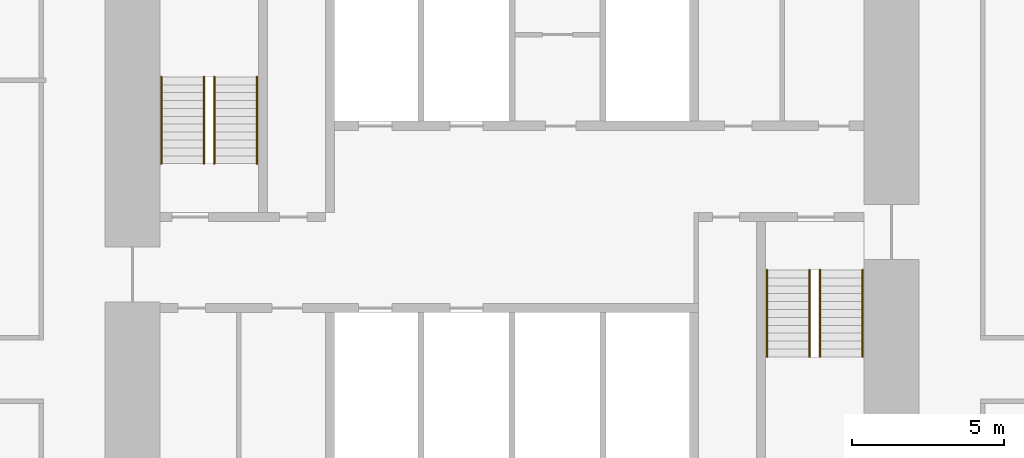
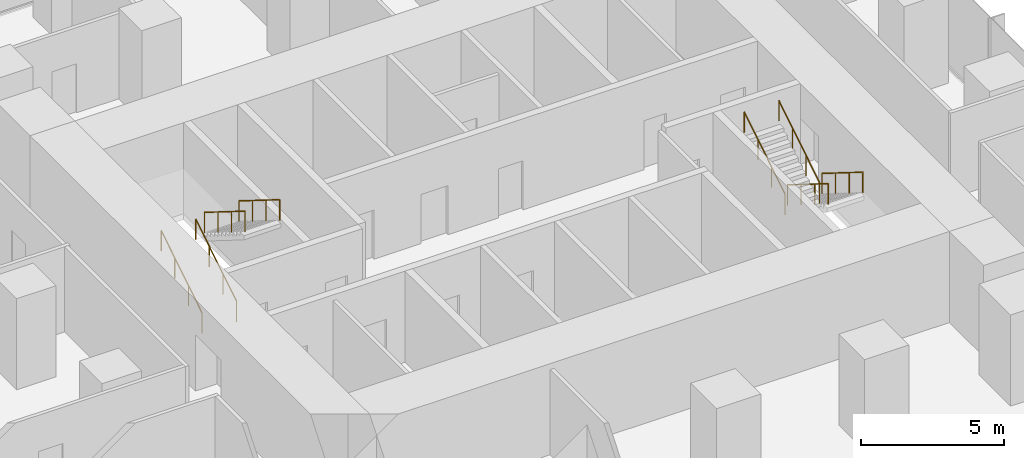
# One storey, part 11 of 11: 8 railings.
"""IFC4 building model written with IfcOpenShell, lengths in metres."""

from ifc_helpers import new_model, si_unit, direction, frame, origin, origin_2d, place, context, subcontext, project, spatial, circle, extrude, material, type_object, element, save


model = new_model("IFC4")

# Units and contexts
model_context = context("Model", 3, precision=1e-05, world=origin(), true_north=direction((0.0, 1.0)))
body_context = subcontext(model_context, "Body", "Model", "MODEL_VIEW")
ifc_project = project(units=[si_unit("LENGTHUNIT", "METRE"), si_unit("AREAUNIT", "SQUARE_METRE"), si_unit("VOLUMEUNIT", "CUBIC_METRE"), si_unit("PLANEANGLEUNIT", "RADIAN"), si_unit("MASSUNIT", "GRAM", prefix="KILO")], contexts=[model_context])

# Site, building, storey
site_placement = place(None, origin())
site = spatial("IfcSite", under=ifc_project, at=site_placement, CompositionType="ELEMENT")
building_placement = place(site_placement, origin())
building = spatial("IfcBuilding", under=site, at=building_placement, Name="Highveld Stack Headquarters", CompositionType="ELEMENT")
storey_placement = place(building_placement, frame((0.0, 0.0, 132.800048828125)))
storey = spatial("IfcBuildingStorey", under=building, at=storey_placement, Name="L32", CompositionType="ELEMENT", Elevation=132.800048828125)

# Railings
ifc_material = material(Name="Stainless steel handrail", Category="steel")
railing_type = type_object("IfcRailingType", Name="STAIR HANDRAIL HR1 900", PredefinedType="HANDRAIL", material=ifc_material)
for number, where, name in (
    (1, (-5.550048828125, 4.75, 0.162353515625), "Handrail S1 L32 flight 1"),
    (2, (-4.14990234375, 4.75, 0.162353515625), "Handrail S1 L32 flight 1"),
):
    element("IfcRailing", number, at=place(storey_placement, frame(where)), inside=storey, type_object=railing_type, Name=name, PredefinedType="HANDRAIL", context=body_context, shape_type="SweptSolid", body=[
        extrude(circle(Radius=0.02392578125, at=origin_2d()), frame((0.0, 0.0, 0.8759765625), z_axis=(0.0, 0.847994237388, 0.530005446535), x_axis=(-1.0, 0.0, 0.0)), (0.0, 0.0, 1.0), 3.372802734375),
        extrude(circle(Radius=0.02099609375, at=origin_2d()), origin(), (0.0, 0.0, 1.0), 0.851806640625),
        extrude(circle(Radius=0.02099609375, at=origin_2d()), frame((0.0, 0.953369140625, 0.595947265625)), (0.0, 0.0, 1.0), 0.851806640625),
        extrude(circle(Radius=0.02099609375, at=origin_2d()), frame((0.0, 1.90673828125, 1.191650390625)), (0.0, 0.0, 1.0), 0.851806640625),
        extrude(circle(Radius=0.02099609375, at=origin_2d()), frame((0.0, 2.860107421875, 1.78759765625)), (0.0, 0.0, 1.0), 0.851806640625),
    ])
for number, where, name in (
    (3, (-3.800048828125, 7.610107421875, 2.112548828125), "Handrail S1 L32 flight 2"),
    (4, (-2.39990234375, 7.610107421875, 2.112548828125), "Handrail S1 L32 flight 2"),
):
    element("IfcRailing", number, at=place(storey_placement, frame(where)), inside=storey, type_object=railing_type, Name=name, PredefinedType="HANDRAIL", context=body_context, shape_type="SweptSolid", body=[
        extrude(circle(Radius=0.02392578125, at=origin_2d()), frame((0.0, 0.0, 0.8759765625), z_axis=(0.0, -0.848026770018, 0.529953391661), x_axis=(1.0, 0.0, 0.0)), (0.0, 0.0, 1.0), 3.37255859375),
        extrude(circle(Radius=0.02099609375, at=origin_2d()), origin(), (0.0, 0.0, 1.0), 0.851806640625),
        extrude(circle(Radius=0.02099609375, at=origin_2d()), frame((0.0, -0.953369140625, 0.595703125)), (0.0, 0.0, 1.0), 0.851806640625),
        extrude(circle(Radius=0.02099609375, at=origin_2d()), frame((0.0, -1.90673828125, 1.191650390625)), (0.0, 0.0, 1.0), 0.851806640625),
        extrude(circle(Radius=0.02099609375, at=origin_2d()), frame((0.0, -2.860107421875, 1.787353515625)), (0.0, 0.0, 1.0), 0.851806640625),
    ])
for number, where, name in (
    (5, (16.14990234375, 1.25, 0.162353515625), "Handrail S2 L32 flight 1"),
    (6, (17.550048828125, 1.25, 0.162353515625), "Handrail S2 L32 flight 1"),
):
    element("IfcRailing", number, at=place(storey_placement, frame(where)), inside=storey, type_object=railing_type, Name=name, PredefinedType="HANDRAIL", context=body_context, shape_type="SweptSolid", body=[
        extrude(circle(Radius=0.02392578125, at=origin_2d()), frame((0.0, 0.0, 0.8759765625), z_axis=(0.0, -0.847994237388, 0.530005446535), x_axis=(1.0, 0.0, 0.0)), (0.0, 0.0, 1.0), 3.372802734375),
        extrude(circle(Radius=0.02099609375, at=origin_2d()), origin(), (0.0, 0.0, 1.0), 0.851806640625),
        extrude(circle(Radius=0.02099609375, at=origin_2d()), frame((0.0, -0.953369140625, 0.595947265625)), (0.0, 0.0, 1.0), 0.851806640625),
        extrude(circle(Radius=0.02099609375, at=origin_2d()), frame((0.0, -1.90673828125, 1.191650390625)), (0.0, 0.0, 1.0), 0.851806640625),
        extrude(circle(Radius=0.02099609375, at=origin_2d()), frame((0.0, -2.860107421875, 1.78759765625)), (0.0, 0.0, 1.0), 0.851806640625),
    ])
for number, where, name in (
    (7, (14.39990234375, -1.610107421875, 2.112548828125), "Handrail S2 L32 flight 2"),
    (8, (15.800048828125, -1.610107421875, 2.112548828125), "Handrail S2 L32 flight 2"),
):
    element("IfcRailing", number, at=place(storey_placement, frame(where)), inside=storey, type_object=railing_type, Name=name, PredefinedType="HANDRAIL", context=body_context, shape_type="SweptSolid", body=[
        extrude(circle(Radius=0.02392578125, at=origin_2d()), frame((0.0, 0.0, 0.8759765625), z_axis=(0.0, 0.848026770018, 0.529953391661), x_axis=(-1.0, 0.0, 0.0)), (0.0, 0.0, 1.0), 3.37255859375),
        extrude(circle(Radius=0.02099609375, at=origin_2d()), origin(), (0.0, 0.0, 1.0), 0.851806640625),
        extrude(circle(Radius=0.02099609375, at=origin_2d()), frame((0.0, 0.953369140625, 0.595703125)), (0.0, 0.0, 1.0), 0.851806640625),
        extrude(circle(Radius=0.02099609375, at=origin_2d()), frame((0.0, 1.90673828125, 1.191650390625)), (0.0, 0.0, 1.0), 0.851806640625),
        extrude(circle(Radius=0.02099609375, at=origin_2d()), frame((0.0, 2.860107421875, 1.787353515625)), (0.0, 0.0, 1.0), 0.851806640625),
    ])

save(model, "model.ifc")
